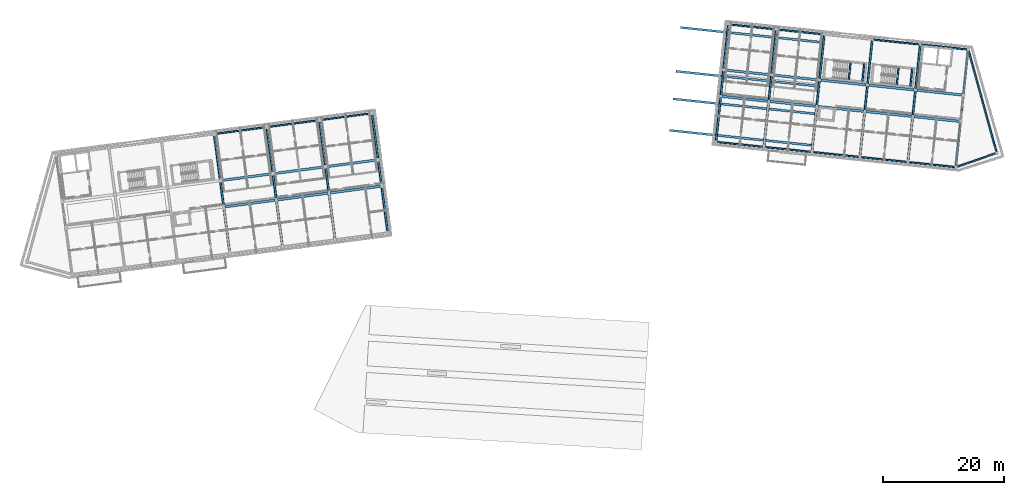
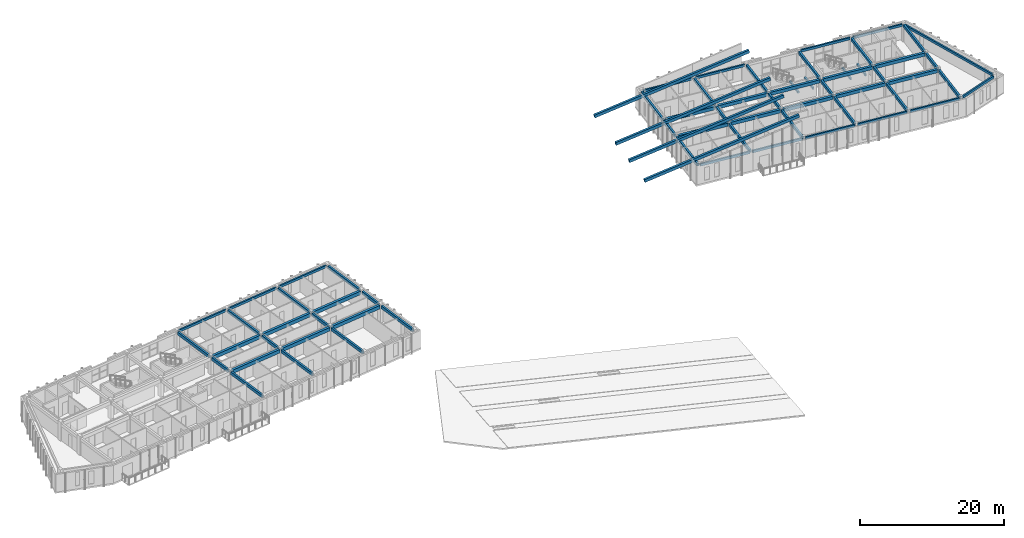
# One storey, part 6 of 34: 68 beams.
"""IFC4 building model written with IfcOpenShell, lengths in metres."""

from ifc_helpers import new_model, si_unit, direction, frame, origin, origin_2d, place, context, subcontext, project, spatial, rectangle, extrude, material, material_profile, profile_set, type_object, element, save


model = new_model("IFC4")

# Units and contexts
model_context = context("Model", 3, precision=1e-05, world=origin(), true_north=direction((0.0, 1.0)))
body_context = subcontext(model_context, "Body", "Model", "MODEL_VIEW")
ifc_project = project(units=[si_unit("LENGTHUNIT", "METRE"), si_unit("AREAUNIT", "SQUARE_METRE"), si_unit("VOLUMEUNIT", "CUBIC_METRE"), si_unit("PLANEANGLEUNIT", "RADIAN"), si_unit("MASSUNIT", "GRAM", prefix="KILO")], contexts=[model_context])

# Site, building, storey
site_placement = place(None, origin())
site = spatial("IfcSite", under=ifc_project, at=site_placement, CompositionType="ELEMENT")
building_placement = place(site_placement, origin())
building = spatial("IfcBuilding", under=site, at=building_placement, Name="Kestramere Prow Commons", CompositionType="ELEMENT")
storey_placement = place(building_placement, frame((0.0, 0.0, 34.39990234375)))
storey = spatial("IfcBuildingStorey", under=building, at=storey_placement, Name="L10", CompositionType="ELEMENT", Elevation=34.39990234375)

# Beams
ifc_material_1 = material(Name="Precast concrete C40/50", Category="concrete")
ifc_material_profile_1 = material_profile(ifc_material_1, rectangle(XDim=0.39990234375, YDim=0.60009765625, at=origin_2d()), Name="PC-BM 400x600")
ifc_profile_set_1 = profile_set([ifc_material_profile_1], Name="Precast concrete C40/50")
beam_type_1 = type_object("IfcBeamType", Name="BM-A1 PC-BM 400x600", PredefinedType="BEAM", material=ifc_profile_set_1)
for number, where, z_axis, x_axis, name in (
    (1, (36.5791015625, 83.20849609375, 2.7001953125), (0.991445635283, 0.13052031366, 0.0), (-0.13052031366, 0.991445635283, 0.0), "Block A L10 Longitudinal Beam 2-4"),
    (2, (45.3037109375, 84.357177734375, 2.7001953125), (0.991445635283, 0.13052031366, 0.0), (-0.13052031366, 0.991445635283, 0.0), "Block A L10 Longitudinal Beam 2-5"),
    (3, (54.028564453125, 85.505859375, 2.7001953125), (0.991445635283, 0.13052031366, 0.0), (-0.13052031366, 0.991445635283, 0.0), "Block A L10 Longitudinal Beam 2-6"),
    (4, (36.0048828125, 87.57080078125, 2.7001953125), (0.991441851318, 0.130549053825, 0.0), (-0.130549053825, 0.991441851318, 0.0), "Block A L10 Longitudinal Beam 3-4"),
    (5, (44.7294921875, 88.719482421875, 2.7001953125), (0.991445635283, 0.13052031366, 0.0), (-0.13052031366, 0.991445635283, 0.0), "Block A L10 Longitudinal Beam 3-5"),
    (6, (53.454345703125, 89.8681640625, 2.7001953125), (0.991445635283, 0.13052031366, 0.0), (-0.13052031366, 0.991445635283, 0.0), "Block A L10 Longitudinal Beam 3-6"),
):
    element("IfcBeam", number, at=place(storey_placement, frame(where, z_axis=z_axis, x_axis=x_axis)), inside=storey, type_object=beam_type_1, Name=name, PredefinedType="BEAM", context=body_context, shape_type="SweptSolid", body=[
        extrude(rectangle(XDim=0.39990234375, YDim=0.60009765625, at=origin_2d()), origin(), (0.0, 0.0, 1.0), 8.35009765625),
    ])
ifc_material_profile_2 = material_profile(ifc_material_1, rectangle(XDim=0.39990234375, YDim=0.550048828125, at=origin_2d()), Name="PC-BM 400x550")
ifc_profile_set_2 = profile_set([ifc_material_profile_2], Name="Precast concrete C40/50")
beam_type_2 = type_object("IfcBeamType", Name="BM-B1 PC-BM 400x550", PredefinedType="BEAM", material=ifc_profile_set_2)
beam_1_placement = place(storey_placement, frame((118.974365234375, 101.49853515625, 2.72509765625), z_axis=(0.994523511366, -0.104513086937, 0.0), x_axis=(0.104513086937, 0.994523511366, 0.0)))
element("IfcBeam", 7, at=beam_1_placement, inside=storey, type_object=beam_type_2, Name="Block B L10 Longitudinal Beam 2-2", PredefinedType="BEAM", context=body_context, shape_type="SweptSolid", body=[
    extrude(rectangle(XDim=0.39990234375, YDim=0.550048828125, at=origin_2d()), origin(), (0.0, 0.0, 1.0), 7.5498046875),
])
beam_2_placement = place(storey_placement, frame((126.930419921875, 100.662353515625, 2.72509765625), z_axis=(0.994523864565, -0.104509725916, 0.0), x_axis=(0.104509725916, 0.994523864565, 0.0)))
element("IfcBeam", 8, at=beam_2_placement, inside=storey, type_object=beam_type_2, Name="Block B L10 Longitudinal Beam 2-3", PredefinedType="BEAM", context=body_context, shape_type="SweptSolid", body=[
    extrude(rectangle(XDim=0.39990234375, YDim=0.550048828125, at=origin_2d()), origin(), (0.0, 0.0, 1.0), 7.550048828125),
])
beam_3_placement = place(storey_placement, frame((134.88671875, 99.826171875, 2.72509765625), z_axis=(0.994520149735, -0.104545070528, 0.0), x_axis=(0.104545070528, 0.994520149735, 0.0)))
element("IfcBeam", 9, at=beam_3_placement, inside=storey, type_object=beam_type_2, Name="Block B L10 Longitudinal Beam 2-4", PredefinedType="BEAM", context=body_context, shape_type="SweptSolid", body=[
    extrude(rectangle(XDim=0.39990234375, YDim=0.550048828125, at=origin_2d()), origin(), (0.0, 0.0, 1.0), 7.5498046875),
])
beam_4_placement = place(storey_placement, frame((142.8427734375, 98.989990234375, 2.72509765625), z_axis=(0.994520503149, -0.104541708502, 0.0), x_axis=(0.104541708502, 0.994520503149, 0.0)))
element("IfcBeam", 10, at=beam_4_placement, inside=storey, type_object=beam_type_2, Name="Block B L10 Longitudinal Beam 2-5", PredefinedType="BEAM", context=body_context, shape_type="SweptSolid", body=[
    extrude(rectangle(XDim=0.39990234375, YDim=0.550048828125, at=origin_2d()), origin(), (0.0, 0.0, 1.0), 7.550048828125),
])
for number, where, z_axis, x_axis, name in (
    (11, (150.799072265625, 98.15380859375, 2.72509765625), (0.994520149735, -0.104545070528, 0.0), (0.104545070528, 0.994520149735, 0.0), "Block B L10 Longitudinal Beam 2-6"),
    (12, (119.434326171875, 105.87451171875, 2.72509765625), (0.994520149735, -0.104545070528, 0.0), (0.104545070528, 0.994520149735, 0.0), "Block B L10 Longitudinal Beam 3-2"),
):
    element("IfcBeam", number, at=place(storey_placement, frame(where, z_axis=z_axis, x_axis=x_axis)), inside=storey, type_object=beam_type_2, Name=name, PredefinedType="BEAM", context=body_context, shape_type="SweptSolid", body=[
        extrude(rectangle(XDim=0.39990234375, YDim=0.550048828125, at=origin_2d()), origin(), (0.0, 0.0, 1.0), 7.5498046875),
    ])
beam_5_placement = place(storey_placement, frame((127.390380859375, 105.038330078125, 2.72509765625), z_axis=(0.994520503149, -0.104541708502, 0.0), x_axis=(0.104541708502, 0.994520503149, 0.0)))
element("IfcBeam", 13, at=beam_5_placement, inside=storey, type_object=beam_type_2, Name="Block B L10 Longitudinal Beam 3-3", PredefinedType="BEAM", context=body_context, shape_type="SweptSolid", body=[
    extrude(rectangle(XDim=0.39990234375, YDim=0.550048828125, at=origin_2d()), origin(), (0.0, 0.0, 1.0), 7.550048828125),
])
beam_6_placement = place(storey_placement, frame((135.3466796875, 104.2021484375, 2.72509765625), z_axis=(0.994520149735, -0.104545070528, 0.0), x_axis=(0.104545070528, 0.994520149735, 0.0)))
element("IfcBeam", 14, at=beam_6_placement, inside=storey, type_object=beam_type_2, Name="Block B L10 Longitudinal Beam 3-4", PredefinedType="BEAM", context=body_context, shape_type="SweptSolid", body=[
    extrude(rectangle(XDim=0.39990234375, YDim=0.550048828125, at=origin_2d()), origin(), (0.0, 0.0, 1.0), 7.5498046875),
])
beam_7_placement = place(storey_placement, frame((143.302734375, 103.36572265625, 2.72509765625), z_axis=(0.994523864565, -0.104509725916, 0.0), x_axis=(0.104509725916, 0.994523864565, 0.0)))
element("IfcBeam", 15, at=beam_7_placement, inside=storey, type_object=beam_type_2, Name="Block B L10 Longitudinal Beam 3-5", PredefinedType="BEAM", context=body_context, shape_type="SweptSolid", body=[
    extrude(rectangle(XDim=0.39990234375, YDim=0.550048828125, at=origin_2d()), origin(), (0.0, 0.0, 1.0), 7.550048828125),
])
beam_8_placement = place(storey_placement, frame((151.259033203125, 102.529541015625, 2.72509765625), z_axis=(0.994523511366, -0.104513086937, 0.0), x_axis=(0.104513086937, 0.994523511366, 0.0)))
element("IfcBeam", 16, at=beam_8_placement, inside=storey, type_object=beam_type_2, Name="Block B L10 Longitudinal Beam 3-6", PredefinedType="BEAM", context=body_context, shape_type="SweptSolid", body=[
    extrude(rectangle(XDim=0.39990234375, YDim=0.550048828125, at=origin_2d()), origin(), (0.0, 0.0, 1.0), 7.5498046875),
])
ifc_material_2 = material(Name="Concrete C40/50", Category="concrete")
ifc_material_profile_3 = material_profile(ifc_material_2, rectangle(XDim=0.25, YDim=0.35009765625, at=origin_2d()), Name="PC-BM 250x350")
ifc_profile_set_3 = profile_set([ifc_material_profile_3], Name="Concrete C40/50")
beam_type_3 = type_object("IfcBeamType", Name="BM-ST-TRIM", PredefinedType="BEAM", material=ifc_profile_set_3)
for number, where, z_axis, x_axis, name in (
    (17, (139.971923828125, 104.248779296875, 1.25), (0.104495697268, 0.994525338668, 0.0), (-0.994525338668, 0.104495697268, 0.0), "ST-B1 L10 Landing Trimmer Beam 1A"),
    (18, (142.2392578125, 104.010498046875, 1.25), (0.104579248847, 0.994516556278, 0.0), (-0.994516556278, 0.104579248847, 0.0), "ST-B1 L10 Landing Trimmer Beam 1B"),
    (19, (147.927978515625, 103.41259765625, 1.25), (0.104579248847, 0.994516556278, 0.0), (-0.994516556278, 0.104579248847, 0.0), "ST-B2 L10 Landing Trimmer Beam 1A"),
    (20, (150.195556640625, 103.17431640625, 1.25), (0.104495697268, 0.994525338668, 0.0), (-0.994525338668, 0.104495697268, 0.0), "ST-B2 L10 Landing Trimmer Beam 1B"),
):
    element("IfcBeam", number, at=place(storey_placement, frame(where, z_axis=z_axis, x_axis=x_axis)), inside=storey, type_object=beam_type_3, Name=name, PredefinedType="BEAM", context=body_context, shape_type="SweptSolid", body=[
        extrude(rectangle(XDim=0.25, YDim=0.35009765625, at=origin_2d()), origin(), (0.0, 0.0, 1.0), 2.89013671875),
    ])
ifc_material_profile_4 = material_profile(ifc_material_1, rectangle(XDim=0.300048828125, YDim=0.5, at=origin_2d()), Name="PC-BM 300x500")
ifc_profile_set_4 = profile_set([ifc_material_profile_4], Name="Precast concrete C40/50")
beam_type_4 = type_object("IfcBeamType", Name="BM-TIE-01 PC-BM 300x500", PredefinedType="BEAM", material=ifc_profile_set_4)
beam_9_placement = place(storey_placement, frame((37.331787109375, 75.76806640625, 2.75), z_axis=(-0.130537539388, 0.991443367425, 0.0), x_axis=(-0.991443367425, -0.130537539388, 0.0)))
element("IfcBeam", 21, at=beam_9_placement, inside=storey, type_object=beam_type_4, Name="Block A L10 Transverse Beam 4-1", PredefinedType="BEAM", context=body_context, shape_type="SweptSolid", body=[
    extrude(rectangle(XDim=0.300048828125, YDim=0.5, at=origin_2d()), origin(), (0.0, 0.0, 1.0), 7.150146484375),
])
beam_10_placement = place(storey_placement, frame((36.313720703125, 83.50146484375, 2.75), z_axis=(-0.130538720766, 0.991443211879, 0.0), x_axis=(-0.991443211879, -0.130538720766, 0.0)))
element("IfcBeam", 22, at=beam_10_placement, inside=storey, type_object=beam_type_4, Name="Block A L10 Transverse Beam 4-2", PredefinedType="BEAM", context=body_context, shape_type="SweptSolid", body=[
    extrude(rectangle(XDim=0.300048828125, YDim=0.5, at=origin_2d()), origin(), (0.0, 0.0, 1.0), 3.749755859375),
])
for number, where, z_axis, x_axis, name in (
    (23, (35.7392578125, 87.86376953125, 2.75), (-0.130503975686, 0.991447785983, 0.0), (-0.991447785983, -0.130503975686, 0.0), "Block A L10 Transverse Beam 4-3"),
    (24, (46.056396484375, 76.916748046875, 2.75), (-0.130503975686, 0.991447785983, 0.0), (-0.991447785983, -0.130503975686, 0.0), "Block A L10 Transverse Beam 5-1"),
):
    element("IfcBeam", number, at=place(storey_placement, frame(where, z_axis=z_axis, x_axis=x_axis)), inside=storey, type_object=beam_type_4, Name=name, PredefinedType="BEAM", context=body_context, shape_type="SweptSolid", body=[
        extrude(rectangle(XDim=0.300048828125, YDim=0.5, at=origin_2d()), origin(), (0.0, 0.0, 1.0), 7.14990234375),
    ])
beam_11_placement = place(storey_placement, frame((45.038330078125, 84.64990234375, 2.75), z_axis=(-0.130530295097, 0.991444321211, 0.0), x_axis=(-0.991444321211, -0.130530295097, 0.0)))
element("IfcBeam", 25, at=beam_11_placement, inside=storey, type_object=beam_type_4, Name="Block A L10 Transverse Beam 5-2", PredefinedType="BEAM", context=body_context, shape_type="SweptSolid", body=[
    extrude(rectangle(XDim=0.300048828125, YDim=0.5, at=origin_2d()), origin(), (0.0, 0.0, 1.0), 3.75),
])
for number, where, z_axis, x_axis, name in (
    (26, (44.464111328125, 89.012451171875, 2.75), (-0.130537539388, 0.991443367425, 0.0), (-0.991443367425, -0.130537539388, 0.0), "Block A L10 Transverse Beam 5-3"),
    (27, (54.78125, 78.0654296875, 2.75), (-0.130537539388, 0.991443367425, 0.0), (-0.991443367425, -0.130537539388, 0.0), "Block A L10 Transverse Beam 6-1"),
):
    element("IfcBeam", number, at=place(storey_placement, frame(where, z_axis=z_axis, x_axis=x_axis)), inside=storey, type_object=beam_type_4, Name=name, PredefinedType="BEAM", context=body_context, shape_type="SweptSolid", body=[
        extrude(rectangle(XDim=0.300048828125, YDim=0.5, at=origin_2d()), origin(), (0.0, 0.0, 1.0), 7.150146484375),
    ])
beam_12_placement = place(storey_placement, frame((53.762939453125, 85.798583984375, 2.75), z_axis=(-0.130466301114, 0.991452744347, 0.0), x_axis=(-0.991452744347, -0.130466301114, 0.0)))
element("IfcBeam", 28, at=beam_12_placement, inside=storey, type_object=beam_type_4, Name="Block A L10 Transverse Beam 6-2", PredefinedType="BEAM", context=body_context, shape_type="SweptSolid", body=[
    extrude(rectangle(XDim=0.300048828125, YDim=0.5, at=origin_2d()), origin(), (0.0, 0.0, 1.0), 3.75),
])
beam_13_placement = place(storey_placement, frame((53.188720703125, 90.160888671875, 2.75), z_axis=(-0.130537539388, 0.991443367425, 0.0), x_axis=(-0.991443367425, -0.130537539388, 0.0)))
element("IfcBeam", 29, at=beam_13_placement, inside=storey, type_object=beam_type_4, Name="Block A L10 Transverse Beam 6-3", PredefinedType="BEAM", context=body_context, shape_type="SweptSolid", body=[
    extrude(rectangle(XDim=0.300048828125, YDim=0.5, at=origin_2d()), origin(), (0.0, 0.0, 1.0), 7.150146484375),
])
beam_14_placement = place(storey_placement, frame((63.505859375, 79.214111328125, 2.75), z_axis=(-0.130541958643, 0.991442785557, 0.0), x_axis=(-0.991442785557, -0.130541958643, 0.0)))
element("IfcBeam", 30, at=beam_14_placement, inside=storey, type_object=beam_type_4, Name="Block A L10 Transverse Beam 7-1", PredefinedType="BEAM", context=body_context, shape_type="SweptSolid", body=[
    extrude(rectangle(XDim=0.300048828125, YDim=0.5, at=origin_2d()), origin(), (0.0, 0.0, 1.0), 7.14990234375),
])
beam_15_placement = place(storey_placement, frame((62.48779296875, 86.947265625, 2.75), z_axis=(-0.130530295097, 0.991444321211, 0.0), x_axis=(-0.991444321211, -0.130530295097, 0.0)))
element("IfcBeam", 31, at=beam_15_placement, inside=storey, type_object=beam_type_4, Name="Block A L10 Transverse Beam 7-2", PredefinedType="BEAM", context=body_context, shape_type="SweptSolid", body=[
    extrude(rectangle(XDim=0.300048828125, YDim=0.5, at=origin_2d()), origin(), (0.0, 0.0, 1.0), 3.75),
])
for number, where, z_axis, x_axis, name in (
    (32, (61.913330078125, 91.3095703125, 2.75), (-0.130503975686, 0.991447785983, 0.0), (-0.991447785983, -0.130503975686, 0.0), "Block A L10 Transverse Beam 7-3"),
    (33, (117.979736328125, 94.1875, 2.75), (0.104519481265, 0.994522839374, 0.0), (-0.994522839374, 0.104519481265, 0.0), "Block B L10 Transverse Beam 2-1"),
):
    element("IfcBeam", number, at=place(storey_placement, frame(where, z_axis=z_axis, x_axis=x_axis)), inside=storey, type_object=beam_type_4, Name=name, PredefinedType="BEAM", context=body_context, shape_type="SweptSolid", body=[
        extrude(rectangle(XDim=0.300048828125, YDim=0.5, at=origin_2d()), origin(), (0.0, 0.0, 1.0), 7.14990234375),
    ])
beam_16_placement = place(storey_placement, frame((118.774169921875, 101.745849609375, 2.75), z_axis=(0.10451426563, 0.994523387498, 0.0), x_axis=(-0.994523387498, 0.10451426563, 0.0)))
element("IfcBeam", 34, at=beam_16_placement, inside=storey, type_object=beam_type_4, Name="Block B L10 Transverse Beam 2-2", PredefinedType="BEAM", context=body_context, shape_type="SweptSolid", body=[
    extrude(rectangle(XDim=0.300048828125, YDim=0.5, at=origin_2d()), origin(), (0.0, 0.0, 1.0), 3.9501953125),
])
beam_17_placement = place(storey_placement, frame((119.234130859375, 106.121826171875, 2.75), z_axis=(0.104519481265, 0.994522839374, 0.0), x_axis=(-0.994522839374, 0.104519481265, 0.0)))
element("IfcBeam", 35, at=beam_17_placement, inside=storey, type_object=beam_type_4, Name="Block B L10 Transverse Beam 2-3", PredefinedType="BEAM", context=body_context, shape_type="SweptSolid", body=[
    extrude(rectangle(XDim=0.300048828125, YDim=0.5, at=origin_2d()), origin(), (0.0, 0.0, 1.0), 7.14990234375),
])
beam_18_placement = place(storey_placement, frame((125.935791015625, 93.351318359375, 2.75), z_axis=(0.104553253602, 0.994519289487, 0.0), x_axis=(-0.994519289487, 0.104553253602, 0.0)))
element("IfcBeam", 36, at=beam_18_placement, inside=storey, type_object=beam_type_4, Name="Block B L10 Transverse Beam 3-1", PredefinedType="BEAM", context=body_context, shape_type="SweptSolid", body=[
    extrude(rectangle(XDim=0.300048828125, YDim=0.5, at=origin_2d()), origin(), (0.0, 0.0, 1.0), 7.150146484375),
])
beam_19_placement = place(storey_placement, frame((126.730224609375, 100.90966796875, 2.75), z_axis=(0.10451426563, 0.994523387498, 0.0), x_axis=(-0.994523387498, 0.10451426563, 0.0)))
element("IfcBeam", 37, at=beam_19_placement, inside=storey, type_object=beam_type_4, Name="Block B L10 Transverse Beam 3-2", PredefinedType="BEAM", context=body_context, shape_type="SweptSolid", body=[
    extrude(rectangle(XDim=0.300048828125, YDim=0.5, at=origin_2d()), origin(), (0.0, 0.0, 1.0), 3.9501953125),
])
for number, where, z_axis, x_axis, name in (
    (38, (127.190185546875, 105.28564453125, 2.75), (0.104519481265, 0.994522839374, 0.0), (-0.994522839374, 0.104519481265, 0.0), "Block B L10 Transverse Beam 3-3"),
    (39, (133.89208984375, 92.51513671875, 2.75), (0.104519481265, 0.994522839374, 0.0), (-0.994522839374, 0.104519481265, 0.0), "Block B L10 Transverse Beam 4-1"),
):
    element("IfcBeam", number, at=place(storey_placement, frame(where, z_axis=z_axis, x_axis=x_axis)), inside=storey, type_object=beam_type_4, Name=name, PredefinedType="BEAM", context=body_context, shape_type="SweptSolid", body=[
        extrude(rectangle(XDim=0.300048828125, YDim=0.5, at=origin_2d()), origin(), (0.0, 0.0, 1.0), 7.14990234375),
    ])
beam_20_placement = place(storey_placement, frame((134.6865234375, 100.073486328125, 2.75), z_axis=(0.104520690275, 0.994522712312, 0.0), x_axis=(-0.994522712312, 0.104520690275, 0.0)))
element("IfcBeam", 40, at=beam_20_placement, inside=storey, type_object=beam_type_4, Name="Block B L10 Transverse Beam 4-2", PredefinedType="BEAM", context=body_context, shape_type="SweptSolid", body=[
    extrude(rectangle(XDim=0.300048828125, YDim=0.5, at=origin_2d()), origin(), (0.0, 0.0, 1.0), 3.949951171875),
])
beam_21_placement = place(storey_placement, frame((135.146484375, 104.449462890625, 2.75), z_axis=(0.104523030711, 0.994522466338, 0.0), x_axis=(-0.994522466338, 0.104523030711, 0.0)))
element("IfcBeam", 41, at=beam_21_placement, inside=storey, type_object=beam_type_4, Name="Block B L10 Transverse Beam 4-3", PredefinedType="BEAM", context=body_context, shape_type="SweptSolid", body=[
    extrude(rectangle(XDim=0.300048828125, YDim=0.5, at=origin_2d()), origin(), (0.0, 0.0, 1.0), 7.149658203125),
])
beam_22_placement = place(storey_placement, frame((141.84814453125, 91.678955078125, 2.75), z_axis=(0.104553253602, 0.994519289487, 0.0), x_axis=(-0.994519289487, 0.104553253602, 0.0)))
element("IfcBeam", 42, at=beam_22_placement, inside=storey, type_object=beam_type_4, Name="Block B L10 Transverse Beam 5-1", PredefinedType="BEAM", context=body_context, shape_type="SweptSolid", body=[
    extrude(rectangle(XDim=0.300048828125, YDim=0.5, at=origin_2d()), origin(), (0.0, 0.0, 1.0), 7.150146484375),
])
beam_23_placement = place(storey_placement, frame((142.642578125, 99.2373046875, 2.75), z_axis=(0.104520690275, 0.994522712312, 0.0), x_axis=(-0.994522712312, 0.104520690275, 0.0)))
element("IfcBeam", 43, at=beam_23_placement, inside=storey, type_object=beam_type_4, Name="Block B L10 Transverse Beam 5-2", PredefinedType="BEAM", context=body_context, shape_type="SweptSolid", body=[
    extrude(rectangle(XDim=0.300048828125, YDim=0.5, at=origin_2d()), origin(), (0.0, 0.0, 1.0), 3.949951171875),
])
for number, where, z_axis, x_axis, name in (
    (44, (143.1025390625, 103.613037109375, 2.75), (0.104519481265, 0.994522839374, 0.0), (-0.994522839374, 0.104519481265, 0.0), "Block B L10 Transverse Beam 5-3"),
    (45, (149.804443359375, 90.842529296875, 2.75), (0.104519481265, 0.994522839374, 0.0), (-0.994522839374, 0.104519481265, 0.0), "Block B L10 Transverse Beam 6-1"),
):
    element("IfcBeam", number, at=place(storey_placement, frame(where, z_axis=z_axis, x_axis=x_axis)), inside=storey, type_object=beam_type_4, Name=name, PredefinedType="BEAM", context=body_context, shape_type="SweptSolid", body=[
        extrude(rectangle(XDim=0.300048828125, YDim=0.5, at=origin_2d()), origin(), (0.0, 0.0, 1.0), 7.14990234375),
    ])
beam_24_placement = place(storey_placement, frame((150.598876953125, 98.40087890625, 2.75), z_axis=(0.10451426563, 0.994523387498, 0.0), x_axis=(-0.994523387498, 0.10451426563, 0.0)))
element("IfcBeam", 46, at=beam_24_placement, inside=storey, type_object=beam_type_4, Name="Block B L10 Transverse Beam 6-2", PredefinedType="BEAM", context=body_context, shape_type="SweptSolid", body=[
    extrude(rectangle(XDim=0.300048828125, YDim=0.5, at=origin_2d()), origin(), (0.0, 0.0, 1.0), 3.9501953125),
])
beam_25_placement = place(storey_placement, frame((151.058837890625, 102.77685546875, 2.75), z_axis=(0.104519481265, 0.994522839374, 0.0), x_axis=(-0.994522839374, 0.104519481265, 0.0)))
element("IfcBeam", 47, at=beam_25_placement, inside=storey, type_object=beam_type_4, Name="Block B L10 Transverse Beam 6-3", PredefinedType="BEAM", context=body_context, shape_type="SweptSolid", body=[
    extrude(rectangle(XDim=0.300048828125, YDim=0.5, at=origin_2d()), origin(), (0.0, 0.0, 1.0), 7.14990234375),
])
beam_26_placement = place(storey_placement, frame((157.760498046875, 90.00634765625, 2.75), z_axis=(0.104553253602, 0.994519289487, 0.0), x_axis=(-0.994519289487, 0.104553253602, 0.0)))
element("IfcBeam", 48, at=beam_26_placement, inside=storey, type_object=beam_type_4, Name="Block B L10 Transverse Beam 7-1", PredefinedType="BEAM", context=body_context, shape_type="SweptSolid", body=[
    extrude(rectangle(XDim=0.300048828125, YDim=0.5, at=origin_2d()), origin(), (0.0, 0.0, 1.0), 7.150146484375),
])
beam_27_placement = place(storey_placement, frame((158.554931640625, 97.564697265625, 2.75), z_axis=(0.10451426563, 0.994523387498, 0.0), x_axis=(-0.994523387498, 0.10451426563, 0.0)))
element("IfcBeam", 49, at=beam_27_placement, inside=storey, type_object=beam_type_4, Name="Block B L10 Transverse Beam 7-2", PredefinedType="BEAM", context=body_context, shape_type="SweptSolid", body=[
    extrude(rectangle(XDim=0.300048828125, YDim=0.5, at=origin_2d()), origin(), (0.0, 0.0, 1.0), 3.9501953125),
])
beam_28_placement = place(storey_placement, frame((159.014892578125, 101.940673828125, 2.75), z_axis=(0.104519481265, 0.994522839374, 0.0), x_axis=(-0.994522839374, 0.104519481265, 0.0)))
element("IfcBeam", 50, at=beam_28_placement, inside=storey, type_object=beam_type_4, Name="Block B L10 Transverse Beam 7-3", PredefinedType="BEAM", context=body_context, shape_type="SweptSolid", body=[
    extrude(rectangle(XDim=0.300048828125, YDim=0.5, at=origin_2d()), origin(), (0.0, 0.0, 1.0), 7.14990234375),
])
ifc_material_profile_5 = material_profile(ifc_material_1, rectangle(XDim=0.35009765625, YDim=0.5, at=origin_2d()), Name="PC-RB 350x500")
ifc_profile_set_5 = profile_set([ifc_material_profile_5], Name="Precast concrete C40/50")
beam_type_5 = type_object("IfcBeamType", Name="RB-PR-02 PC-RB 350x500", PredefinedType="BEAM", material=ifc_profile_set_5)
for number, where, z_axis, x_axis, name in (
    (51, (133.774658203125, 93.4072265625, 6.070068359375), (-0.977848000525, 0.102778131417, -0.182345670558), (-0.104530641242, -0.994521666452, 0.0), "Block B Lower Prow Raking Rafter 1"),
    (52, (134.323486328125, 98.62841796875, 6.070068359375), (-0.977848000525, 0.102778131417, -0.182345670558), (-0.104530641242, -0.994521666452, 0.0), "Block B Lower Prow Raking Rafter 2"),
):
    element("IfcBeam", number, at=place(storey_placement, frame(where, z_axis=z_axis, x_axis=x_axis)), inside=storey, type_object=beam_type_5, Name=name, PredefinedType="BEAM", context=body_context, shape_type="SweptSolid", body=[
        extrude(rectangle(XDim=0.35009765625, YDim=0.5, at=origin_2d()), origin(), (0.0, 0.0, 1.0), 23.982177734375),
    ])
beam_29_placement = place(storey_placement, frame((134.80419921875, 103.203369140625, 6.070068359375), z_axis=(-0.977848577579, 0.102769081877, -0.182347676532), x_axis=(-0.104521476942, -0.994522629636, 0.0)))
element("IfcBeam", 53, at=beam_29_placement, inside=storey, type_object=beam_type_5, Name="Block B Lower Prow Raking Rafter 3", PredefinedType="BEAM", context=body_context, shape_type="SweptSolid", body=[
    extrude(rectangle(XDim=0.35009765625, YDim=0.5, at=origin_2d()), origin(), (0.0, 0.0, 1.0), 23.98193359375),
])
beam_30_placement = place(storey_placement, frame((135.5673828125, 110.46337890625, 6.070068359375), z_axis=(-0.977849023589, 0.102768058853, -0.182345861335), x_axis=(-0.104520400687, -0.994522742747, 0.0)))
element("IfcBeam", 54, at=beam_30_placement, inside=storey, type_object=beam_type_5, Name="Block B Lower Prow Raking Rafter 4", PredefinedType="BEAM", context=body_context, shape_type="SweptSolid", body=[
    extrude(rectangle(XDim=0.35009765625, YDim=0.5, at=origin_2d()), origin(), (0.0, 0.0, 1.0), 23.982177734375),
])
ifc_material_profile_6 = material_profile(ifc_material_1, rectangle(XDim=0.25, YDim=0.39990234375, at=origin_2d()), Name="PC-SP 250x400")
ifc_profile_set_6 = profile_set([ifc_material_profile_6], Name="Precast concrete C40/50")
beam_type_6 = type_object("IfcBeamType", Name="SP-EXT-01 PC-SP 250x400", PredefinedType="SPANDREL", material=ifc_profile_set_6)
for number, where, z_axis, x_axis, name in (
    (55, (34.98681640625, 95.30419921875, 2.800048828125), (0.991445635283, 0.13052031366, 0.0), (-0.13052031366, 0.991445635283, 0.0), "Block A L10 Longitudinal Beam 4-4"),
    (56, (43.71142578125, 96.452880859375, 2.800048828125), (0.991445635283, 0.13052031366, 0.0), (-0.13052031366, 0.991445635283, 0.0), "Block A L10 Longitudinal Beam 4-5"),
    (57, (52.43603515625, 97.601318359375, 2.800048828125), (0.991441851318, 0.130549053825, 0.0), (-0.130549053825, 0.991441851318, 0.0), "Block A L10 Longitudinal Beam 4-6"),
):
    element("IfcBeam", number, at=place(storey_placement, frame(where, z_axis=z_axis, x_axis=x_axis)), inside=storey, type_object=beam_type_6, Name=name, PredefinedType="SPANDREL", context=body_context, shape_type="SweptSolid", body=[
        extrude(rectangle(XDim=0.25, YDim=0.39990234375, at=origin_2d()), origin(), (0.0, 0.0, 1.0), 8.35009765625),
    ])
beam_31_placement = place(storey_placement, frame((158.00146484375, 89.87451171875, 2.800048828125), z_axis=(0.944739829863, 0.327821069901, 0.0), x_axis=(-0.327821069901, 0.944739829863, 0.0)))
element("IfcBeam", 58, at=beam_31_placement, inside=storey, type_object=beam_type_6, Name="Block B L10 Prow Facet Beam S", PredefinedType="SPANDREL", context=body_context, shape_type="SweptSolid", body=[
    extrude(rectangle(XDim=0.25, YDim=0.39990234375, at=origin_2d()), origin(), (0.0, 0.0, 1.0), 6.619873046875),
])
beam_32_placement = place(storey_placement, frame((159.8603515625, 109.00537109375, 2.800048828125), z_axis=(0.266276973363, -0.963896557446, 0.0), x_axis=(0.963896557446, 0.266276973363, 0.0)))
element("IfcBeam", 59, at=beam_32_placement, inside=storey, type_object=beam_type_6, Name="Block B L10 Prow Facet Beam N", PredefinedType="SPANDREL", context=body_context, shape_type="SweptSolid", body=[
    extrude(rectangle(XDim=0.25, YDim=0.39990234375, at=origin_2d()), origin(), (0.0, 0.0, 1.0), 17.220703125),
])
for number, where, z_axis, x_axis, name in (
    (60, (118.179931640625, 93.940185546875, 2.800048828125), (0.994523511366, -0.104513086937, 0.0), (0.104513086937, 0.994523511366, 0.0), "Block B L10 Longitudinal Beam 1-2"),
    (61, (126.13623046875, 93.10400390625, 2.800048828125), (0.994523511366, -0.104513086937, 0.0), (0.104513086937, 0.994523511366, 0.0), "Block B L10 Longitudinal Beam 1-3"),
    (62, (134.09228515625, 92.267822265625, 2.800048828125), (0.994520149735, -0.104545070528, 0.0), (0.104545070528, 0.994520149735, 0.0), "Block B L10 Longitudinal Beam 1-4"),
    (63, (142.048583984375, 91.431640625, 2.800048828125), (0.994520149735, -0.104545070528, 0.0), (0.104545070528, 0.994520149735, 0.0), "Block B L10 Longitudinal Beam 1-5"),
    (64, (150.004638671875, 90.595458984375, 2.800048828125), (0.994520149735, -0.104545070528, 0.0), (0.104545070528, 0.994520149735, 0.0), "Block B L10 Longitudinal Beam 1-6"),
    (65, (120.228759765625, 113.432861328125, 2.800048828125), (0.994523511366, -0.104513086937, 0.0), (0.104513086937, 0.994523511366, 0.0), "Block B L10 Longitudinal Beam 4-2"),
):
    element("IfcBeam", number, at=place(storey_placement, frame(where, z_axis=z_axis, x_axis=x_axis)), inside=storey, type_object=beam_type_6, Name=name, PredefinedType="SPANDREL", context=body_context, shape_type="SweptSolid", body=[
        extrude(rectangle(XDim=0.25, YDim=0.39990234375, at=origin_2d()), origin(), (0.0, 0.0, 1.0), 7.5498046875),
    ])
for number, where, z_axis, x_axis, name in (
    (66, (128.184814453125, 112.5966796875, 2.800048828125), (0.994520503149, -0.104541708502, 0.0), (0.104541708502, 0.994520503149, 0.0), "Block B L10 Longitudinal Beam 4-3"),
    (67, (144.09716796875, 110.92431640625, 2.800048828125), (0.994520503149, -0.104541708502, 0.0), (0.104541708502, 0.994520503149, 0.0), "Block B L10 Longitudinal Beam 4-5"),
):
    element("IfcBeam", number, at=place(storey_placement, frame(where, z_axis=z_axis, x_axis=x_axis)), inside=storey, type_object=beam_type_6, Name=name, PredefinedType="SPANDREL", context=body_context, shape_type="SweptSolid", body=[
        extrude(rectangle(XDim=0.25, YDim=0.39990234375, at=origin_2d()), origin(), (0.0, 0.0, 1.0), 7.550048828125),
    ])
beam_33_placement = place(storey_placement, frame((152.053466796875, 110.087890625, 2.800048828125), z_axis=(0.994523511366, -0.104513086937, 0.0), x_axis=(0.104513086937, 0.994523511366, 0.0)))
element("IfcBeam", 68, at=beam_33_placement, inside=storey, type_object=beam_type_6, Name="Block B L10 Longitudinal Beam 4-6", PredefinedType="SPANDREL", context=body_context, shape_type="SweptSolid", body=[
    extrude(rectangle(XDim=0.25, YDim=0.39990234375, at=origin_2d()), origin(), (0.0, 0.0, 1.0), 7.5498046875),
])

save(model, "model.ifc")
